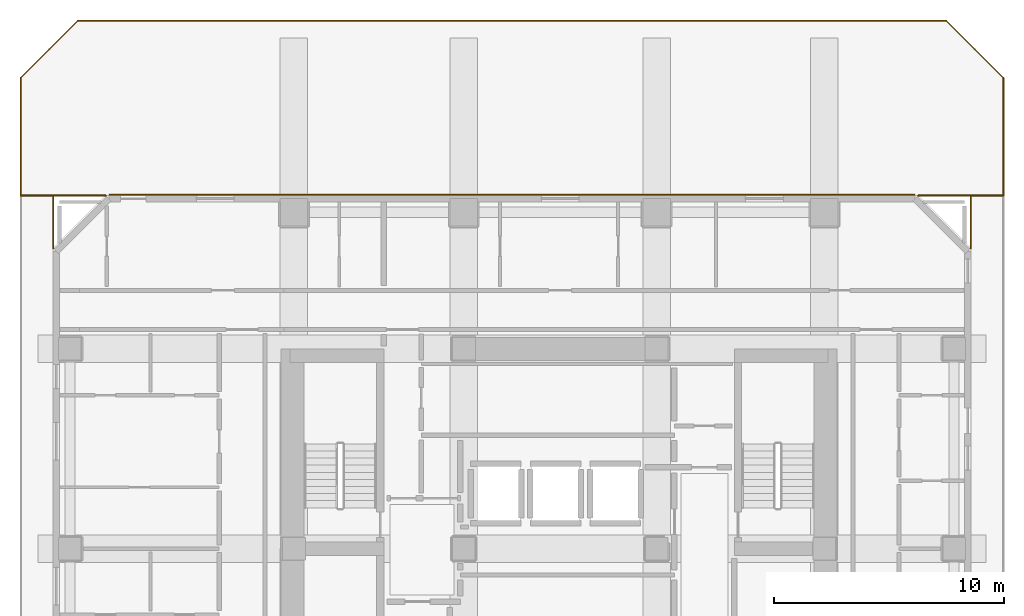
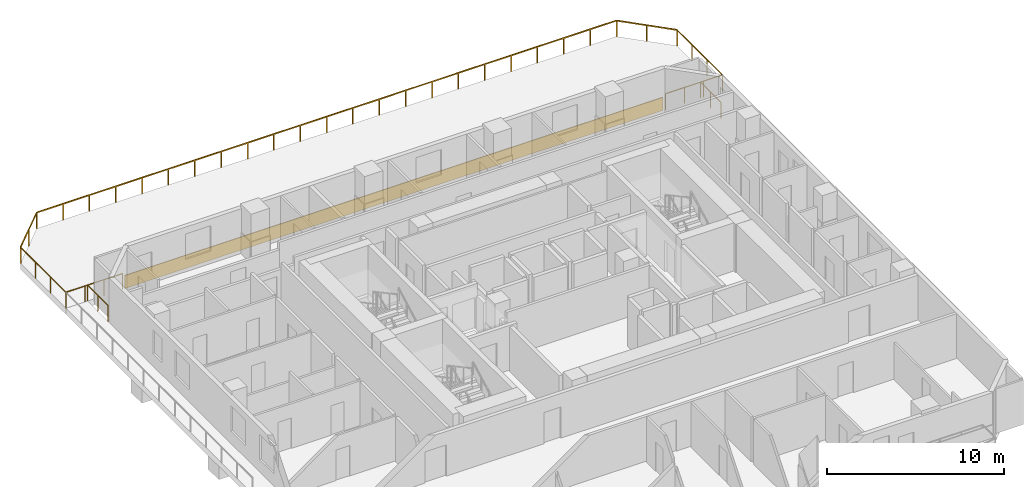
# One storey, part 11 of 11: 11 railings, 1 covering.
"""IFC4 building model written with IfcOpenShell, lengths in metres."""

from ifc_helpers import new_model, si_unit, direction, frame, frame_2d, origin, origin_2d, place, context, subcontext, project, spatial, rectangle, extrude, material, layer, layer_set, type_object, element, save


model = new_model("IFC4")

# Units and contexts
model_context = context("Model", 3, precision=1e-05, world=origin(), true_north=direction((0.0, 1.0)))
body_context = subcontext(model_context, "Body", "Model", "MODEL_VIEW")
ifc_project = project(units=[si_unit("LENGTHUNIT", "METRE"), si_unit("AREAUNIT", "SQUARE_METRE"), si_unit("VOLUMEUNIT", "CUBIC_METRE"), si_unit("PLANEANGLEUNIT", "RADIAN"), si_unit("MASSUNIT", "GRAM", prefix="KILO")], contexts=[model_context])

# Site, building, storey
site_placement = place(None, origin())
site = spatial("IfcSite", under=ifc_project, at=site_placement, CompositionType="ELEMENT")
building_placement = place(site_placement, origin())
building = spatial("IfcBuilding", under=site, at=building_placement, Name="Solanera Arch Residences", CompositionType="ELEMENT")
storey_placement = place(building_placement, frame((0.0, 0.0, 106.080078125)))
storey = spatial("IfcBuildingStorey", under=building, at=storey_placement, Name="L30", CompositionType="ELEMENT", Elevation=106.080078125)

# Railings
ifc_material_1 = material(Name="Steel S355 (ASTM A992 / A572 Grade 50)", Category="steel")
railing_type = type_object("IfcRailingType", Name="Balustrade Railing BL-1100", PredefinedType="BALUSTRADE", material=ifc_material_1)
for number, where, name in (
    (1, (1.5, 46.080078125, 0.0), "L30 Sky Terrace Guardrail 1"),
    (2, (40.592041015625, 46.080078125, 0.0), "L30 Sky Terrace Guardrail 1"),
):
    element("IfcRailing", number, at=place(storey_placement, frame(where)), inside=storey, type_object=railing_type, Name=name, PredefinedType="BALUSTRADE", context=body_context, shape_type="SweptSolid", body=[
        extrude(rectangle(XDim=0.048095703125, YDim=0.048095703125, at=origin_2d()), frame((0.0, 0.0, 1.09619140625), z_axis=(1.0, 0.0, 0.0), x_axis=(0.0, 1.0, 0.0)), (0.0, 0.0, 1.0), 3.7080078125),
        extrude(rectangle(XDim=0.0419921875, YDim=0.0419921875, at=origin_2d()), origin(), (0.0, 0.0, 1.0), 1.072021484375),
        extrude(rectangle(XDim=0.0419921875, YDim=0.0419921875, at=origin_2d()), frame((1.236083984375, 0.0, 0.0)), (0.0, 0.0, 1.0), 1.072021484375),
        extrude(rectangle(XDim=0.0419921875, YDim=0.0419921875, at=origin_2d()), frame((2.471923828125, 0.0, 0.0)), (0.0, 0.0, 1.0), 1.072021484375),
        extrude(rectangle(XDim=0.0419921875, YDim=0.0419921875, at=origin_2d()), frame((3.7080078125, 0.0, 0.0)), (0.0, 0.0, 1.0), 1.072021484375),
    ])
railing_1_placement = place(storey_placement, frame((44.300048828125, 46.080078125, 0.0)))
element("IfcRailing", 3, at=railing_1_placement, inside=storey, type_object=railing_type, Name="L30 Sky Terrace Guardrail 1", PredefinedType="BALUSTRADE", context=body_context, shape_type="SweptSolid", body=[
    extrude(rectangle(XDim=0.048095703125, YDim=0.048095703125, at=origin_2d()), frame((0.0, 0.0, 1.09619140625), z_axis=(0.0, 1.0, 0.0), x_axis=(-1.0, 0.0, 0.0)), (0.0, 0.0, 1.0), 5.119873046875),
    extrude(rectangle(XDim=0.0419921875, YDim=0.0419921875, at=origin_2d()), origin(), (0.0, 0.0, 1.0), 1.072021484375),
    extrude(rectangle(XDim=0.0419921875, YDim=0.0419921875, at=origin_2d()), frame((0.0, 1.70654296875, 0.0)), (0.0, 0.0, 1.0), 1.072021484375),
    extrude(rectangle(XDim=0.0419921875, YDim=0.0419921875, at=origin_2d()), frame((0.0, 3.413330078125, 0.0)), (0.0, 0.0, 1.0), 1.072021484375),
    extrude(rectangle(XDim=0.0419921875, YDim=0.0419921875, at=origin_2d()), frame((0.0, 5.119873046875, 0.0)), (0.0, 0.0, 1.0), 1.072021484375),
])
railing_2_placement = place(storey_placement, frame((44.300048828125, 51.199951171875, 0.0)))
element("IfcRailing", 4, at=railing_2_placement, inside=storey, type_object=railing_type, Name="L30 Sky Terrace Guardrail 1", PredefinedType="BALUSTRADE", context=body_context, shape_type="SweptSolid", body=[
    extrude(rectangle(XDim=0.048095703125, YDim=0.048095703125, at=origin_2d()), frame((0.0, 0.0, 1.09619140625), z_axis=(-0.707106781187, 0.707106781187, 0.0), x_axis=(-0.707106781187, -0.707106781187, 0.0)), (0.0, 0.0, 1.0), 3.53564453125),
    extrude(rectangle(XDim=0.0419921875, YDim=0.0419921875, at=origin_2d()), origin(), (0.0, 0.0, 1.0), 1.072021484375),
    extrude(rectangle(XDim=0.0419921875, YDim=0.0419921875, at=origin_2d()), frame((-1.25, 1.25, 0.0)), (0.0, 0.0, 1.0), 1.072021484375),
    extrude(rectangle(XDim=0.0419921875, YDim=0.0419921875, at=origin_2d()), frame((-2.5, 2.5, 0.0)), (0.0, 0.0, 1.0), 1.072021484375),
])
railing_3_placement = place(storey_placement, frame((41.800048828125, 53.699951171875, 0.0)))
element("IfcRailing", 5, at=railing_3_placement, inside=storey, type_object=railing_type, Name="L30 Sky Terrace Guardrail 1", PredefinedType="BALUSTRADE", context=body_context, shape_type="SweptSolid", body=[
    extrude(rectangle(XDim=0.048095703125, YDim=0.048095703125, at=origin_2d()), frame((0.0, 0.0, 1.09619140625), z_axis=(-1.0, 0.0, 0.0), x_axis=(0.0, -1.0, 0.0)), (0.0, 0.0, 1.0), 37.800048828125),
    extrude(rectangle(XDim=0.0419921875, YDim=0.0419921875, at=origin_2d()), origin(), (0.0, 0.0, 1.0), 1.072021484375),
    extrude(rectangle(XDim=0.0419921875, YDim=0.0419921875, at=origin_2d()), frame((-1.71826171875, 0.0, 0.0)), (0.0, 0.0, 1.0), 1.072021484375),
    extrude(rectangle(XDim=0.0419921875, YDim=0.0419921875, at=origin_2d()), frame((-3.436279296875, 0.0, 0.0)), (0.0, 0.0, 1.0), 1.072021484375),
    extrude(rectangle(XDim=0.0419921875, YDim=0.0419921875, at=origin_2d()), frame((-5.154541015625, 0.0, 0.0)), (0.0, 0.0, 1.0), 1.072021484375),
    extrude(rectangle(XDim=0.0419921875, YDim=0.0419921875, at=origin_2d()), frame((-6.872802734375, 0.0, 0.0)), (0.0, 0.0, 1.0), 1.072021484375),
    extrude(rectangle(XDim=0.0419921875, YDim=0.0419921875, at=origin_2d()), frame((-8.5908203125, 0.0, 0.0)), (0.0, 0.0, 1.0), 1.072021484375),
    extrude(rectangle(XDim=0.0419921875, YDim=0.0419921875, at=origin_2d()), frame((-10.30908203125, 0.0, 0.0)), (0.0, 0.0, 1.0), 1.072021484375),
    extrude(rectangle(XDim=0.0419921875, YDim=0.0419921875, at=origin_2d()), frame((-12.02734375, 0.0, 0.0)), (0.0, 0.0, 1.0), 1.072021484375),
    extrude(rectangle(XDim=0.0419921875, YDim=0.0419921875, at=origin_2d()), frame((-13.745361328125, 0.0, 0.0)), (0.0, 0.0, 1.0), 1.072021484375),
    extrude(rectangle(XDim=0.0419921875, YDim=0.0419921875, at=origin_2d()), frame((-15.463623046875, 0.0, 0.0)), (0.0, 0.0, 1.0), 1.072021484375),
    extrude(rectangle(XDim=0.0419921875, YDim=0.0419921875, at=origin_2d()), frame((-17.181884765625, 0.0, 0.0)), (0.0, 0.0, 1.0), 1.072021484375),
    extrude(rectangle(XDim=0.0419921875, YDim=0.0419921875, at=origin_2d()), frame((-18.89990234375, 0.0, 0.0)), (0.0, 0.0, 1.0), 1.072021484375),
    extrude(rectangle(XDim=0.0419921875, YDim=0.0419921875, at=origin_2d()), frame((-20.6181640625, 0.0, 0.0)), (0.0, 0.0, 1.0), 1.072021484375),
    extrude(rectangle(XDim=0.0419921875, YDim=0.0419921875, at=origin_2d()), frame((-22.33642578125, 0.0, 0.0)), (0.0, 0.0, 1.0), 1.072021484375),
    extrude(rectangle(XDim=0.0419921875, YDim=0.0419921875, at=origin_2d()), frame((-24.0546875, 0.0, 0.0)), (0.0, 0.0, 1.0), 1.072021484375),
    extrude(rectangle(XDim=0.0419921875, YDim=0.0419921875, at=origin_2d()), frame((-25.772705078125, 0.0, 0.0)), (0.0, 0.0, 1.0), 1.072021484375),
    extrude(rectangle(XDim=0.0419921875, YDim=0.0419921875, at=origin_2d()), frame((-27.490966796875, 0.0, 0.0)), (0.0, 0.0, 1.0), 1.072021484375),
    extrude(rectangle(XDim=0.0419921875, YDim=0.0419921875, at=origin_2d()), frame((-29.209228515625, 0.0, 0.0)), (0.0, 0.0, 1.0), 1.072021484375),
    extrude(rectangle(XDim=0.0419921875, YDim=0.0419921875, at=origin_2d()), frame((-30.92724609375, 0.0, 0.0)), (0.0, 0.0, 1.0), 1.072021484375),
    extrude(rectangle(XDim=0.0419921875, YDim=0.0419921875, at=origin_2d()), frame((-32.6455078125, 0.0, 0.0)), (0.0, 0.0, 1.0), 1.072021484375),
    extrude(rectangle(XDim=0.0419921875, YDim=0.0419921875, at=origin_2d()), frame((-34.36376953125, 0.0, 0.0)), (0.0, 0.0, 1.0), 1.072021484375),
    extrude(rectangle(XDim=0.0419921875, YDim=0.0419921875, at=origin_2d()), frame((-36.081787109375, 0.0, 0.0)), (0.0, 0.0, 1.0), 1.072021484375),
    extrude(rectangle(XDim=0.0419921875, YDim=0.0419921875, at=origin_2d()), frame((-37.800048828125, 0.0, 0.0)), (0.0, 0.0, 1.0), 1.072021484375),
])
railing_4_placement = place(storey_placement, frame((4.0, 53.699951171875, 0.0)))
element("IfcRailing", 6, at=railing_4_placement, inside=storey, type_object=railing_type, Name="L30 Sky Terrace Guardrail 1", PredefinedType="BALUSTRADE", context=body_context, shape_type="SweptSolid", body=[
    extrude(rectangle(XDim=0.048095703125, YDim=0.048095703125, at=origin_2d()), frame((0.0, 0.0, 1.09619140625), z_axis=(-0.707106781187, -0.707106781187, 0.0), x_axis=(0.707106781187, -0.707106781187, 0.0)), (0.0, 0.0, 1.0), 3.53564453125),
    extrude(rectangle(XDim=0.0419921875, YDim=0.0419921875, at=origin_2d()), origin(), (0.0, 0.0, 1.0), 1.072021484375),
    extrude(rectangle(XDim=0.0419921875, YDim=0.0419921875, at=origin_2d()), frame((-1.25, -1.25, 0.0)), (0.0, 0.0, 1.0), 1.072021484375),
    extrude(rectangle(XDim=0.0419921875, YDim=0.0419921875, at=origin_2d()), frame((-2.5, -2.5, 0.0)), (0.0, 0.0, 1.0), 1.072021484375),
])
railing_5_placement = place(storey_placement, frame((1.5, 51.199951171875, 0.0)))
element("IfcRailing", 7, at=railing_5_placement, inside=storey, type_object=railing_type, Name="L30 Sky Terrace Guardrail 1", PredefinedType="BALUSTRADE", context=body_context, shape_type="SweptSolid", body=[
    extrude(rectangle(XDim=0.048095703125, YDim=0.048095703125, at=origin_2d()), frame((0.0, 0.0, 1.09619140625), z_axis=(0.0, -1.0, 0.0), x_axis=(1.0, 0.0, 0.0)), (0.0, 0.0, 1.0), 5.119873046875),
    extrude(rectangle(XDim=0.0419921875, YDim=0.0419921875, at=origin_2d()), origin(), (0.0, 0.0, 1.0), 1.072021484375),
    extrude(rectangle(XDim=0.0419921875, YDim=0.0419921875, at=origin_2d()), frame((0.0, -1.70654296875, 0.0)), (0.0, 0.0, 1.0), 1.072021484375),
    extrude(rectangle(XDim=0.0419921875, YDim=0.0419921875, at=origin_2d()), frame((0.0, -3.413330078125, 0.0)), (0.0, 0.0, 1.0), 1.072021484375),
    extrude(rectangle(XDim=0.0419921875, YDim=0.0419921875, at=origin_2d()), frame((0.0, -5.119873046875, 0.0)), (0.0, 0.0, 1.0), 1.072021484375),
])
railing_6_placement = place(storey_placement, frame((2.919921875, 43.7919921875, 0.0)))
element("IfcRailing", 8, at=railing_6_placement, inside=storey, type_object=railing_type, Name="L30 Sky Terrace Guardrail 1", PredefinedType="BALUSTRADE", context=body_context, shape_type="SweptSolid", body=[
    extrude(rectangle(XDim=0.048095703125, YDim=0.048095703125, at=origin_2d()), frame((0.0, 0.0, 1.09619140625), z_axis=(0.0, 1.0, 0.0), x_axis=(-1.0, 0.0, 0.0)), (0.0, 0.0, 1.0), 2.2880859375),
    extrude(rectangle(XDim=0.0419921875, YDim=0.0419921875, at=origin_2d()), origin(), (0.0, 0.0, 1.0), 1.072021484375),
    extrude(rectangle(XDim=0.0419921875, YDim=0.0419921875, at=origin_2d()), frame((0.0, 1.14404296875, 0.0)), (0.0, 0.0, 1.0), 1.072021484375),
    extrude(rectangle(XDim=0.0419921875, YDim=0.0419921875, at=origin_2d()), frame((0.0, 2.2880859375, 0.0)), (0.0, 0.0, 1.0), 1.072021484375),
])
railing_7_placement = place(storey_placement, frame((2.919921875, 46.080078125, 0.0)))
element("IfcRailing", 9, at=railing_7_placement, inside=storey, type_object=railing_type, Name="L30 Sky Terrace Guardrail 1", PredefinedType="BALUSTRADE", context=body_context, shape_type="SweptSolid", body=[
    extrude(rectangle(XDim=0.048095703125, YDim=0.048095703125, at=origin_2d()), frame((0.0, 0.0, 1.09619140625), z_axis=(-1.0, 0.0, 0.0), x_axis=(0.0, -1.0, 0.0)), (0.0, 0.0, 1.0), 1.419921875),
    extrude(rectangle(XDim=0.0419921875, YDim=0.0419921875, at=origin_2d()), origin(), (0.0, 0.0, 1.0), 1.072021484375),
    extrude(rectangle(XDim=0.0419921875, YDim=0.0419921875, at=origin_2d()), frame((-1.419921875, 0.0, 0.0)), (0.0, 0.0, 1.0), 1.072021484375),
])
railing_8_placement = place(storey_placement, frame((44.300048828125, 46.080078125, 0.0)))
element("IfcRailing", 10, at=railing_8_placement, inside=storey, type_object=railing_type, Name="L30 Sky Terrace Guardrail 1", PredefinedType="BALUSTRADE", context=body_context, shape_type="SweptSolid", body=[
    extrude(rectangle(XDim=0.048095703125, YDim=0.048095703125, at=origin_2d()), frame((0.0, 0.0, 1.09619140625), z_axis=(-1.0, 0.0, 0.0), x_axis=(0.0, -1.0, 0.0)), (0.0, 0.0, 1.0), 1.420166015625),
    extrude(rectangle(XDim=0.0419921875, YDim=0.0419921875, at=origin_2d()), origin(), (0.0, 0.0, 1.0), 1.072021484375),
    extrude(rectangle(XDim=0.0419921875, YDim=0.0419921875, at=origin_2d()), frame((-1.420166015625, 0.0, 0.0)), (0.0, 0.0, 1.0), 1.072021484375),
])
railing_9_placement = place(storey_placement, frame((42.8798828125, 46.080078125, 0.0)))
element("IfcRailing", 11, at=railing_9_placement, inside=storey, type_object=railing_type, Name="L30 Sky Terrace Guardrail 1", PredefinedType="BALUSTRADE", context=body_context, shape_type="SweptSolid", body=[
    extrude(rectangle(XDim=0.048095703125, YDim=0.048095703125, at=origin_2d()), frame((0.0, 0.0, 1.09619140625), z_axis=(0.0, -1.0, 0.0), x_axis=(1.0, 0.0, 0.0)), (0.0, 0.0, 1.0), 2.2880859375),
    extrude(rectangle(XDim=0.0419921875, YDim=0.0419921875, at=origin_2d()), origin(), (0.0, 0.0, 1.0), 1.072021484375),
    extrude(rectangle(XDim=0.0419921875, YDim=0.0419921875, at=origin_2d()), frame((0.0, -1.14404296875, 0.0)), (0.0, 0.0, 1.0), 1.072021484375),
    extrude(rectangle(XDim=0.0419921875, YDim=0.0419921875, at=origin_2d()), frame((0.0, -2.2880859375, 0.0)), (0.0, 0.0, 1.0), 1.072021484375),
])

# Covering
ifc_material_2 = material(Name="Philippine Adobe Travertine Cladding", Category="masonry")
ifc_layer = layer(ifc_material_2, 0.06005859375)
ifc_layer_set = layer_set([ifc_layer], Name="Philippine Adobe Travertine Cladding")
covering_type = type_object("IfcCoveringType", Name="Precast Pier Stone Cladding CLD-60", PredefinedType="CLADDING", material=ifc_layer_set)
covering_placement = place(storey_placement, frame((5.35498046875, 46.114990234375, 0.0), z_axis=(0.0, 0.0, 1.0), x_axis=(1.0, 0.0, 0.0)))
element("IfcCovering", 12, at=covering_placement, inside=storey, type_object=covering_type, Name="L30 N Precast Spandrel Stone Band", PredefinedType="CLADDING", context=body_context, shape_type="SweptSolid", body=[
    extrude(rectangle(XDim=35.090087890625, YDim=0.06005859375, at=frame_2d((17.544921875, 0.0))), origin(), (0.0, 0.0, 1.0), 0.89990234375),
])

save(model, "model.ifc")
